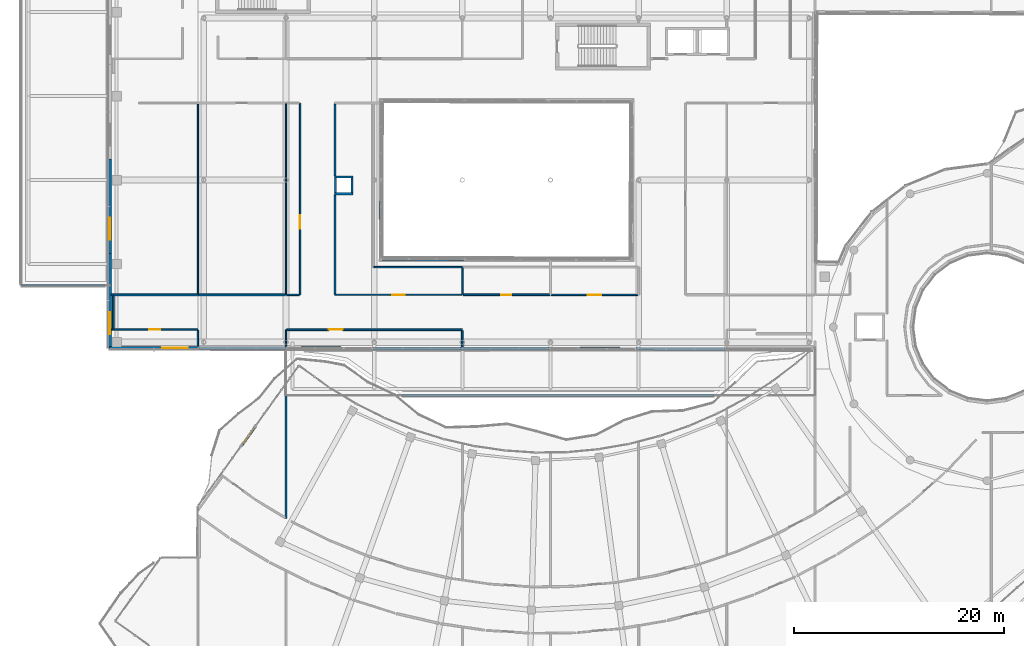
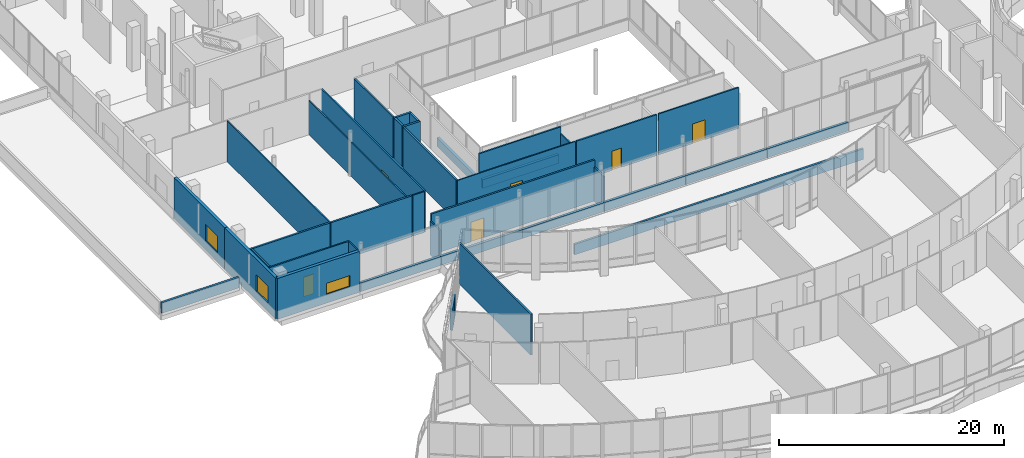
# One storey, part 139 of 168: 38 walls, 7 doors, 3 windows, 10 openings.
"""IFC4 building model written with IfcOpenShell, lengths in metres."""

from ifc_helpers import new_model, si_unit, direction, frame, frame_2d, origin, place, context, subcontext, project, spatial, rectangle, extrude, material, layer, layer_set, type_object, element, fill, save


model = new_model("IFC4")

# Units and contexts
model_context = context("Model", 3, precision=1e-05, world=origin(), true_north=direction((0.0, 1.0)))
body_context = subcontext(model_context, "Body", "Model", "MODEL_VIEW")
ifc_project = project(units=[si_unit("LENGTHUNIT", "METRE"), si_unit("AREAUNIT", "SQUARE_METRE"), si_unit("VOLUMEUNIT", "CUBIC_METRE"), si_unit("PLANEANGLEUNIT", "RADIAN"), si_unit("MASSUNIT", "GRAM", prefix="KILO")], contexts=[model_context])

# Site, building, storey
site_placement = place(None, origin())
site = spatial("IfcSite", under=ifc_project, at=site_placement, CompositionType="ELEMENT")
building_placement = place(site_placement, origin())
building = spatial("IfcBuilding", under=site, at=building_placement, Name="Selatvlak General Hospital", CompositionType="ELEMENT")
storey_placement = place(building_placement, frame((0.0, 0.0, 5.39990234375)))
storey = spatial("IfcBuildingStorey", under=building, at=storey_placement, Name="L01", CompositionType="ELEMENT", Elevation=5.39990234375)

# Wall, opening, window
ifc_material_1 = material(Name="Precast concrete C40/50 - white fair-faced", Category="concrete")
ifc_layer_1 = layer(ifc_material_1, 0.300048828125, Name="Precast concrete C40/50 - white fair-faced", Category="concrete")
ifc_layer_set_1 = layer_set([ifc_layer_1], Name="Precast concrete C40/50 - white fair-faced")
wall_type_1 = type_object("IfcWallType", Name="WALL-EW-01", PredefinedType="SOLIDWALL", material=ifc_layer_set_1)
wall_1_placement = place(storey_placement, frame((14.39990234375, 52.0, 0.0), z_axis=(0.0, 0.0, 1.0), x_axis=(0.0, 1.0, 0.0)))
wall_1 = element("IfcWall", 1, at=wall_1_placement, inside=storey, type_object=wall_type_1, Name="L01 exterior wall 0198", PredefinedType="SOLIDWALL", context=body_context, shape_type="SweptSolid", body=[
    extrude(rectangle(XDim=9.0, YDim=0.300048828125, at=frame_2d((4.5, 0.0))), origin(), (0.0, 0.0, 1.0), 4.445068359375),
])
opening_1_placement = place(wall_1_placement, frame((1.2900390625, 0.0, 0.9599609375)))
opening_1 = element("IfcOpeningElement", 2, at=opening_1_placement, cuts=wall_1, Name="Opening WN-21", PredefinedType="OPENING", context=body_context, shape_type="SweptSolid", body=[
    extrude(rectangle(XDim=2.10009765625, YDim=1.800048828125, at=frame_2d((1.050048828125, 0.89990234375))), frame((0.0, 0.159912109375, 0.0), z_axis=(0.0, -1.0, 0.0), x_axis=(1.0, 0.0, 0.0)), (0.0, 0.0, 1.0), 0.320068359375),
])
ifc_material_2 = material(Name="Thermally broken aluminium Low-E window", Category="aluminium")
window_type_1 = type_object("IfcWindowType", Name="WIN-WN-21", PartitioningType="SINGLE_PANEL", PredefinedType="WINDOW", material=ifc_material_2)
window_1_placement = place(opening_1_placement, origin())
window_1 = element("IfcWindow", 3, at=window_1_placement, inside=storey, type_object=window_type_1, Name="L01 Bauhaus ribbon window 0016", OverallHeight=1.800048828125, OverallWidth=2.10009765625, PartitioningType="SINGLE_PANEL", PredefinedType="WINDOW", context=body_context, shape_type="SweptSolid", body=[
    extrude(rectangle(XDim=2.10009765625, YDim=1.800048828125, at=frame_2d((1.050048828125, 0.89990234375))), frame((0.0, 0.030029296875, 0.0), z_axis=(0.0, -1.0, 0.0), x_axis=(1.0, 0.0, 0.0)), (0.0, 0.0, 1.0), 0.06005859375),
])
fill(opening_1, window_1)

wall_2_placement = place(storey_placement, frame((14.39990234375, 61.0, 0.0), z_axis=(0.0, 0.0, 1.0), x_axis=(0.0, 1.0, 0.0)))
wall_2 = element("IfcWall", 4, at=wall_2_placement, inside=storey, type_object=wall_type_1, Name="L01 exterior wall 0199", PredefinedType="SOLIDWALL", context=body_context, shape_type="SweptSolid", body=[
    extrude(rectangle(XDim=8.9990234375, YDim=0.300048828125, at=frame_2d((4.49951171875, 0.0))), origin(), (0.0, 0.0, 1.0), 4.445068359375),
])
opening_2_placement = place(wall_2_placement, frame((1.2900390625, 0.0, 0.9599609375)))
opening_2 = element("IfcOpeningElement", 5, at=opening_2_placement, cuts=wall_2, Name="Opening WN-21", PredefinedType="OPENING", context=body_context, shape_type="SweptSolid", body=[
    extrude(rectangle(XDim=2.10009765625, YDim=1.800048828125, at=frame_2d((1.050048828125, 0.89990234375))), frame((0.0, 0.159912109375, 0.0), z_axis=(0.0, -1.0, 0.0), x_axis=(1.0, 0.0, 0.0)), (0.0, 0.0, 1.0), 0.320068359375),
])
window_2_placement = place(opening_2_placement, origin())
window_2 = element("IfcWindow", 6, at=window_2_placement, inside=storey, type_object=window_type_1, Name="L01 Bauhaus ribbon window 0018", OverallHeight=1.800048828125, OverallWidth=2.10009765625, PartitioningType="SINGLE_PANEL", PredefinedType="WINDOW", context=body_context, shape_type="SweptSolid", body=[
    extrude(rectangle(XDim=2.10009765625, YDim=1.800048828125, at=frame_2d((1.050048828125, 0.89990234375))), frame((0.0, 0.030029296875, 0.0), z_axis=(0.0, -1.0, 0.0), x_axis=(1.0, 0.0, 0.0)), (0.0, 0.0, 1.0), 0.06005859375),
])
fill(opening_2, window_2)

wall_3_placement = place(storey_placement, frame((22.80908203125, 52.0, 0.0), z_axis=(0.0, 0.0, 1.0), x_axis=(-1.0, 0.0, 0.0)))
wall_3 = element("IfcWall", 7, at=wall_3_placement, inside=storey, type_object=wall_type_1, Name="L01 exterior wall 0238", PredefinedType="SOLIDWALL", context=body_context, shape_type="SweptSolid", body=[
    extrude(rectangle(XDim=8.4091796875, YDim=0.300048828125, at=frame_2d((4.20458984375, 0.0))), origin(), (0.0, 0.0, 1.0), 4.445068359375),
])
opening_3_placement = place(wall_3_placement, frame((0.986083984375, 0.0, 0.9599609375)))
opening_3 = element("IfcOpeningElement", 8, at=opening_3_placement, cuts=wall_3, Name="Opening WN-29", PredefinedType="OPENING", context=body_context, shape_type="SweptSolid", body=[
    extrude(rectangle(XDim=2.39990234375, YDim=1.199951171875, at=frame_2d((1.199951171875, 0.60009765625))), frame((0.0, 0.159912109375, 0.0), z_axis=(0.0, -1.0, 0.0), x_axis=(1.0, 0.0, 0.0)), (0.0, 0.0, 1.0), 0.320068359375),
])
window_type_2 = type_object("IfcWindowType", Name="WIN-WN-29", PartitioningType="SINGLE_PANEL", PredefinedType="WINDOW", material=ifc_material_2)
window_3_placement = place(opening_3_placement, origin())
window_3 = element("IfcWindow", 9, at=window_3_placement, inside=storey, type_object=window_type_2, Name="L01 Bauhaus ribbon window 0024", OverallHeight=1.199951171875, OverallWidth=2.39990234375, PartitioningType="SINGLE_PANEL", PredefinedType="WINDOW", context=body_context, shape_type="SweptSolid", body=[
    extrude(rectangle(XDim=2.39990234375, YDim=1.199951171875, at=frame_2d((1.199951171875, 0.60009765625))), frame((0.0, 0.030029296875, 0.0), z_axis=(0.0, -1.0, 0.0), x_axis=(1.0, 0.0, 0.0)), (0.0, 0.0, 1.0), 0.06005859375),
])
fill(opening_3, window_3)

# Walls
ifc_material_3 = material(Name="Precast concrete C40/50 - white Bauhaus spandrel", Category="concrete")
ifc_layer_2 = layer(ifc_material_3, 0.280029296875, Name="Precast concrete C40/50 - white Bauhaus spandrel", Category="concrete")
ifc_layer_set_2 = layer_set([ifc_layer_2], Name="Precast concrete C40/50 - white Bauhaus spandrel")
wall_type_2 = type_object("IfcWallType", Name="WALL-EW-02", PredefinedType="SOLIDWALL", material=ifc_layer_set_2)
for number, where, z_axis, x_axis, name in (
    (10, (72.97802734375, 51.909912109375, 0.0), (0.0, 0.0, 1.0), (-0.999998360026, 0.001811062053, 0.0), "L01 Bauhaus spandrel sill wall 0232"),
    (11, (64.615966796875, 51.925048828125, 0.0), (0.0, 0.0, 1.0), (-0.999998412501, 0.001781851468, 0.0), "L01 Bauhaus spandrel sill wall 0233"),
):
    element("IfcWall", number, at=place(storey_placement, frame(where, z_axis=z_axis, x_axis=x_axis)), inside=storey, type_object=wall_type_2, Name=name, PredefinedType="SOLIDWALL", context=body_context, shape_type="SweptSolid", body=[
        extrude(rectangle(XDim=8.35791015625, YDim=0.280029296875, at=frame_2d((4.178955078125, 0.0))), origin(), (0.0, 0.0, 1.0), 0.940185546875),
    ])
wall_4_placement = place(storey_placement, frame((56.25390625, 51.93994140625, 0.0), z_axis=(0.0, 0.0, 1.0), x_axis=(-0.999998359642, 0.001811273687, 0.0)))
element("IfcWall", 12, at=wall_4_placement, inside=storey, type_object=wall_type_2, Name="L01 Bauhaus spandrel sill wall 0234", PredefinedType="SOLIDWALL", context=body_context, shape_type="SweptSolid", body=[
    extrude(rectangle(XDim=8.35693359375, YDim=0.280029296875, at=frame_2d((4.178466796875, 0.0))), origin(), (0.0, 0.0, 1.0), 0.940185546875),
])
wall_5_placement = place(storey_placement, frame((47.89306640625, 51.955078125, 0.0), z_axis=(0.0, 0.0, 1.0), x_axis=(-0.999998412594, 0.001781799421, 0.0)))
element("IfcWall", 13, at=wall_5_placement, inside=storey, type_object=wall_type_2, Name="L01 Bauhaus spandrel sill wall 0235", PredefinedType="SOLIDWALL", context=body_context, shape_type="SweptSolid", body=[
    extrude(rectangle(XDim=8.358154296875, YDim=0.280029296875, at=frame_2d((4.17919921875, 0.0))), origin(), (0.0, 0.0, 1.0), 0.940185546875),
])
wall_6_placement = place(storey_placement, frame((39.531005859375, 51.969970703125, 0.0), z_axis=(0.0, 0.0, 1.0), x_axis=(-0.999998360026, 0.001811062053, 0.0)))
element("IfcWall", 14, at=wall_6_placement, inside=storey, type_object=wall_type_2, Name="L01 Bauhaus spandrel sill wall 0236", PredefinedType="SOLIDWALL", context=body_context, shape_type="SweptSolid", body=[
    extrude(rectangle(XDim=8.35791015625, YDim=0.280029296875, at=frame_2d((4.178955078125, 0.0))), origin(), (0.0, 0.0, 1.0), 0.940185546875),
])
wall_7_placement = place(storey_placement, frame((31.1689453125, 51.985107421875, 0.0), z_axis=(0.0, 0.0, 1.0), x_axis=(-0.999998358775, 0.001811752647, 0.0)))
element("IfcWall", 15, at=wall_7_placement, inside=storey, type_object=wall_type_2, Name="L01 Bauhaus spandrel sill wall 0237", PredefinedType="SOLIDWALL", context=body_context, shape_type="SweptSolid", body=[
    extrude(rectangle(XDim=8.219970703125, YDim=0.280029296875, at=frame_2d((4.10986328125, 0.0))), origin(), (0.0, 0.0, 1.0), 0.940185546875),
])
wall_8_placement = place(storey_placement, frame((40.22998046875, 68.028076171875, 0.0), z_axis=(0.0, 0.0, 1.0), x_axis=(-0.003911227273, -0.999992351121, 0.0)))
element("IfcWall", 16, at=wall_8_placement, inside=storey, type_object=wall_type_2, Name="L01 Bauhaus spandrel sill wall 0274", PredefinedType="SOLIDWALL", context=body_context, shape_type="SweptSolid", body=[
    extrude(rectangle(XDim=7.427978515625, YDim=0.280029296875, at=frame_2d((3.7138671875, 0.0))), origin(), (0.0, 0.0, 1.0), 0.940185546875),
])
wall_9_placement = place(storey_placement, frame((40.340087890625, 60.4599609375, 0.0), z_axis=(0.0, 0.0, 1.0), x_axis=(0.99999673805, -0.002554190522, 0.0)))
element("IfcWall", 17, at=wall_9_placement, inside=storey, type_object=wall_type_2, Name="L01 Bauhaus spandrel sill wall 0275", PredefinedType="SOLIDWALL", context=body_context, shape_type="SweptSolid", body=[
    extrude(rectangle(XDim=7.837890625, YDim=0.280029296875, at=frame_2d((3.9189453125, 0.0))), origin(), (0.0, 0.0, 1.0), 0.940185546875),
])

# Wall, opening, door
ifc_layer_3 = layer(ifc_material_1, 0.239990234375, Name="Precast concrete C40/50 - white fair-faced", Category="concrete")
ifc_layer_set_3 = layer_set([ifc_layer_3], Name="Precast concrete C40/50 - white fair-faced")
wall_type_3 = type_object("IfcWallType", Name="WALL-EW-04", PredefinedType="SOLIDWALL", material=ifc_layer_set_3)
wall_10_placement = place(storey_placement, frame((26.947021484375, 42.672119140625, 0.0), z_axis=(0.0, 0.0, 1.0), x_axis=(0.583485123331, 0.812123827289, 0.0)))
wall_10 = element("IfcWall", 18, at=wall_10_placement, inside=storey, type_object=wall_type_3, Name="L01 S-curve glazed balcony door frame 0230", PredefinedType="SOLIDWALL", context=body_context, shape_type="SweptSolid", body=[
    extrude(rectangle(XDim=2.300048828125, YDim=0.239990234375, at=frame_2d((1.14990234375, 0.0))), origin(), (0.0, 0.0, 1.0), 2.320068359375),
])
opening_4_placement = place(wall_10_placement, frame((0.35009765625, 0.0, 0.0)))
opening_4 = element("IfcOpeningElement", 19, at=opening_4_placement, cuts=wall_10, Name="Opening DE-05", PredefinedType="OPENING", context=body_context, shape_type="SweptSolid", body=[
    extrude(rectangle(XDim=1.60009765625, YDim=2.199951171875, at=frame_2d((0.800048828125, 1.10009765625))), frame((0.0, 0.1298828125, 0.0), z_axis=(0.0, -1.0, 0.0), x_axis=(1.0, 0.0, 0.0)), (0.0, 0.0, 1.0), 0.260009765625),
])
ifc_material_4 = material(Name="Anodised aluminium balcony double door", Category="aluminium")
door_type_1 = type_object("IfcDoorType", Name="DOOR-DE-05", OperationType="DOUBLE_DOOR_SINGLE_SWING", PredefinedType="DOOR", material=ifc_material_4)
door_1_placement = place(opening_4_placement, origin())
door_1 = element("IfcDoor", 20, at=door_1_placement, inside=storey, type_object=door_type_1, Name="L01 clinic balcony double door 22", OperationType="DOUBLE_DOOR_SINGLE_SWING", OverallHeight=2.199951171875, OverallWidth=1.60009765625, PredefinedType="DOOR", context=body_context, shape_type="SweptSolid", body=[
    extrude(rectangle(XDim=1.60009765625, YDim=2.199951171875, at=frame_2d((0.800048828125, 1.10009765625))), frame((0.0, 0.02490234375, 0.0), z_axis=(0.0, -1.0, 0.0), x_axis=(1.0, 0.0, 0.0)), (0.0, 0.0, 1.0), 0.050048828125),
])
fill(opening_4, door_1)

# Walls
ifc_material_5 = material(Name="Concrete C40/50", Category="concrete")
ifc_layer_4 = layer(ifc_material_5, 0.199951171875, Name="Concrete C40/50", Category="concrete")
ifc_layer_set_4 = layer_set([ifc_layer_4], Name="Concrete C40/50")
wall_type_4 = type_object("IfcWallType", Name="WALL-IW-02", PredefinedType="SOLIDWALL", material=ifc_layer_set_4)
wall_11_placement = place(storey_placement, frame((35.800048828125, 66.699951171875, 0.0), z_axis=(0.0, 0.0, 1.0), x_axis=(1.0, 0.0, 0.0)))
element("IfcWall", 21, at=wall_11_placement, inside=storey, type_object=wall_type_4, Name="Service riser 5 shaft wall L01 S", PredefinedType="SOLIDWALL", context=body_context, shape_type="SweptSolid", body=[
    extrude(rectangle(XDim=1.800048828125, YDim=0.199951171875, at=frame_2d((0.89990234375, 0.0))), origin(), (0.0, 0.0, 1.0), 4.445068359375),
])
wall_12_placement = place(storey_placement, frame((37.5, 66.800048828125, 0.0), z_axis=(0.0, 0.0, 1.0), x_axis=(0.0, 1.0, 0.0)))
element("IfcWall", 22, at=wall_12_placement, inside=storey, type_object=wall_type_4, Name="Service riser 5 shaft wall L01 E", PredefinedType="SOLIDWALL", context=body_context, shape_type="SweptSolid", body=[
    extrude(rectangle(XDim=1.39990234375, YDim=0.199951171875, at=frame_2d((0.699951171875, 0.0))), origin(), (0.0, 0.0, 1.0), 4.445068359375),
])
wall_13_placement = place(storey_placement, frame((37.60009765625, 68.300048828125, 0.0), z_axis=(0.0, 0.0, 1.0), x_axis=(-1.0, 0.0, 0.0)))
element("IfcWall", 23, at=wall_13_placement, inside=storey, type_object=wall_type_4, Name="Service riser 5 shaft wall L01 N", PredefinedType="SOLIDWALL", context=body_context, shape_type="SweptSolid", body=[
    extrude(rectangle(XDim=1.800048828125, YDim=0.199951171875, at=frame_2d((0.89990234375, 0.0))), origin(), (0.0, 0.0, 1.0), 4.445068359375),
])
wall_14_placement = place(storey_placement, frame((35.89990234375, 68.199951171875, 0.0), z_axis=(0.0, 0.0, 1.0), x_axis=(0.0, -1.0, 0.0)))
element("IfcWall", 24, at=wall_14_placement, inside=storey, type_object=wall_type_4, Name="Service riser 5 shaft wall L01 W", PredefinedType="SOLIDWALL", context=body_context, shape_type="SweptSolid", body=[
    extrude(rectangle(XDim=1.39990234375, YDim=0.199951171875, at=frame_2d((0.699951171875, 0.0))), origin(), (0.0, 0.0, 1.0), 4.445068359375),
])
ifc_layer_5 = layer(ifc_material_1, 0.219970703125, Name="Precast concrete C40/50 - white fair-faced", Category="concrete")
ifc_layer_set_5 = layer_set([ifc_layer_5], Name="Precast concrete C40/50 - white fair-faced")
wall_type_5 = type_object("IfcWallType", Name="WALL-PR-02", PredefinedType="PARAPET", material=ifc_layer_set_5)
wall_15_placement = place(storey_placement, frame((13.919921875, 58.0, -0.079833984375), z_axis=(0.0, 0.0, 1.0), x_axis=(-1.0, 0.0, 0.0)))
element("IfcWall", 25, at=wall_15_placement, inside=storey, type_object=wall_type_5, Name="L01 roof parapet upstand PAR-L01-002", PredefinedType="PARAPET", context=body_context, shape_type="SweptSolid", body=[
    extrude(rectangle(XDim=7.919921875, YDim=0.219970703125, at=frame_2d((3.9599609375, 0.0))), origin(), (0.0, 0.0, 1.0), 1.14990234375),
])
wall_16_placement = place(storey_placement, frame((71.965087890625, 47.5, -0.079833984375), z_axis=(0.0, 0.0, 1.0), x_axis=(-1.0, 0.0, 0.0)))
element("IfcWall", 26, at=wall_16_placement, inside=storey, type_object=wall_type_5, Name="L01 roof parapet upstand PAR-L01-004", PredefinedType="PARAPET", context=body_context, shape_type="SweptSolid", body=[
    extrude(rectangle(XDim=29.64599609375, YDim=0.219970703125, at=frame_2d((14.822998046875, 0.0))), origin(), (0.0, 0.0, 1.0), 1.14990234375),
])
ifc_material_6 = material(Name="Acoustic gypsum stud partition")
ifc_layer_6 = layer(ifc_material_6, 0.179931640625, Name="Acoustic gypsum stud partition")
ifc_layer_set_6 = layer_set([ifc_layer_6], Name="Acoustic gypsum stud partition")
wall_type_6 = type_object("IfcWallType", Name="WALL-PT-01", PredefinedType="PARTITIONING", material=ifc_layer_set_6)
wall_17_placement = place(storey_placement, frame((22.743896484375, 57.06005859375, 0.0), z_axis=(0.0, 0.0, 1.0), x_axis=(-1.0, 0.0, 0.0)))
element("IfcWall", 27, at=wall_17_placement, inside=storey, type_object=wall_type_6, Name="L01 clinical partition PT-L01-0710", PredefinedType="PARTITIONING", context=body_context, shape_type="SweptSolid", body=[
    extrude(rectangle(XDim=8.19677734375, YDim=0.179931640625, at=frame_2d((4.098388671875, 0.0))), origin(), (0.0, 0.0, 1.0), 4.445068359375),
])
wall_18_placement = place(storey_placement, frame((31.14404296875, 57.06005859375, 0.0), z_axis=(0.0, 0.0, 1.0), x_axis=(-1.0, 0.0, 0.0)))
element("IfcWall", 28, at=wall_18_placement, inside=storey, type_object=wall_type_6, Name="L01 clinical partition PT-L01-0725", PredefinedType="PARTITIONING", context=body_context, shape_type="SweptSolid", body=[
    extrude(rectangle(XDim=8.2880859375, YDim=0.179931640625, at=frame_2d((4.14404296875, 0.0))), origin(), (0.0, 0.0, 1.0), 4.445068359375),
])

# Wall, opening, door
wall_19_placement = place(storey_placement, frame((31.256103515625, 53.739990234375, 0.0), z_axis=(0.0, 0.0, 1.0), x_axis=(1.0, 0.0, 0.0)))
wall_19 = element("IfcWall", 29, at=wall_19_placement, inside=storey, type_object=wall_type_6, Name="L01 clinical partition PT-L01-0740", PredefinedType="PARTITIONING", context=body_context, shape_type="SweptSolid", body=[
    extrude(rectangle(XDim=16.743896484375, YDim=0.179931640625, at=frame_2d((8.3720703125, 0.0))), origin(), (0.0, 0.0, 1.0), 4.445068359375),
])
opening_5_placement = place(wall_19_placement, frame((4.012939453125, 0.0, 0.0)))
opening_5 = element("IfcOpeningElement", 30, at=opening_5_placement, cuts=wall_19, Name="Opening D-10", PredefinedType="OPENING", context=body_context, shape_type="SweptSolid", body=[
    extrude(rectangle(XDim=1.35009765625, YDim=2.14990234375, at=frame_2d((0.675048828125, 1.074951171875))), frame((0.0, 0.099853515625, 0.0), z_axis=(0.0, -1.0, 0.0), x_axis=(1.0, 0.0, 0.0)), (0.0, 0.0, 1.0), 0.199951171875),
])
ifc_material_7 = material(Name="Single patient bed door")
door_type_2 = type_object("IfcDoorType", Name="DOOR-D-10", OperationType="NOTDEFINED", PredefinedType="DOOR", material=ifc_material_7)
door_2_placement = place(opening_5_placement, origin())
door_2 = element("IfcDoor", 31, at=door_2_placement, inside=storey, type_object=door_type_2, Name="L01 Pre-Operative Day Surgery Ward 06 door", OperationType="SINGLE_SWING_LEFT", OverallHeight=2.14990234375, OverallWidth=1.35009765625, PredefinedType="DOOR", context=body_context, shape_type="SweptSolid", body=[
    extrude(rectangle(XDim=1.35009765625, YDim=2.14990234375, at=frame_2d((0.675048828125, 1.074951171875))), frame((0.0, 0.02490234375, 0.0), z_axis=(0.0, -1.0, 0.0), x_axis=(1.0, 0.0, 0.0)), (0.0, 0.0, 1.0), 0.050048828125),
])
fill(opening_5, door_2)

# Walls
wall_20_placement = place(storey_placement, frame((35.860107421875, 57.115966796875, 0.0), z_axis=(0.0, 0.0, 1.0), x_axis=(0.0, 1.0, 0.0)))
element("IfcWall", 32, at=wall_20_placement, inside=storey, type_object=wall_type_6, Name="L01 clinical partition PT-L01-0750", PredefinedType="PARTITIONING", context=body_context, shape_type="SweptSolid", body=[
    extrude(rectangle(XDim=9.487060546875, YDim=0.179931640625, at=frame_2d((4.74365234375, 0.0))), origin(), (0.0, 0.0, 1.0), 4.445068359375),
])
ifc_layer_7 = layer(ifc_material_6, 0.1650390625, Name="Acoustic gypsum stud partition")
ifc_layer_set_7 = layer_set([ifc_layer_7], Name="Acoustic gypsum stud partition")
wall_type_7 = type_object("IfcWallType", Name="WALL-PT-02", PredefinedType="PARTITIONING", material=ifc_layer_set_7)
wall_21_placement = place(storey_placement, frame((14.739990234375, 56.97412109375, 0.0), z_axis=(0.0, 0.0, 1.0), x_axis=(0.0, -1.0, 0.0)))
element("IfcWall", 33, at=wall_21_placement, inside=storey, type_object=wall_type_7, Name="L01 clinical partition PT-L01-0711", PredefinedType="PARTITIONING", context=body_context, shape_type="SweptSolid", body=[
    extrude(rectangle(XDim=3.174072265625, YDim=0.1650390625, at=frame_2d((1.5869140625, 0.0))), origin(), (0.0, 0.0, 1.0), 4.445068359375),
])
wall_22_placement = place(storey_placement, frame((31.199951171875, 48.56591796875, 0.0), z_axis=(0.0, 0.0, 1.0), x_axis=(0.0, -1.0, 0.0)))
element("IfcWall", 34, at=wall_22_placement, inside=storey, type_object=wall_type_7, Name="L01 clinical partition PT-L01-0716", PredefinedType="PARTITIONING", context=body_context, shape_type="SweptSolid", body=[
    extrude(rectangle(XDim=12.791015625, YDim=0.1650390625, at=frame_2d((6.3955078125, 0.0))), origin(), (0.0, 0.0, 1.0), 4.445068359375),
])
wall_23_placement = place(storey_placement, frame((48.0, 53.654052734375, 0.0), z_axis=(0.0, 0.0, 1.0), x_axis=(0.0, -1.0, 0.0)))
element("IfcWall", 35, at=wall_23_placement, inside=storey, type_object=wall_type_7, Name="L01 clinical partition PT-L01-0741", PredefinedType="PARTITIONING", context=body_context, shape_type="SweptSolid", body=[
    extrude(rectangle(XDim=1.64404296875, YDim=0.1650390625, at=frame_2d((0.822021484375, 0.0))), origin(), (0.0, 0.0, 1.0), 3.695068359375),
])
wall_24_placement = place(storey_placement, frame((35.860107421875, 68.39697265625, 0.0), z_axis=(0.0, 0.0, 1.0), x_axis=(0.0, 1.0, 0.0)))
element("IfcWall", 36, at=wall_24_placement, inside=storey, type_object=wall_type_7, Name="L01 clinical partition PT-L01-0751", PredefinedType="PARTITIONING", context=body_context, shape_type="SweptSolid", body=[
    extrude(rectangle(XDim=6.85693359375, YDim=0.1650390625, at=frame_2d((3.428466796875, 0.0))), origin(), (0.0, 0.0, 1.0), 4.445068359375),
])

# Wall, opening, door
wall_25_placement = place(storey_placement, frame((56.31396484375, 57.06005859375, 0.0), z_axis=(0.0, 0.0, 1.0), x_axis=(-1.0, 0.0, 0.0)))
wall_25 = element("IfcWall", 37, at=wall_25_placement, inside=storey, type_object=wall_type_7, Name="L01 clinical partition PT-L01-0761", PredefinedType="PARTITIONING", context=body_context, shape_type="SweptSolid", body=[
    extrude(rectangle(XDim=8.2509765625, YDim=0.1650390625, at=frame_2d((4.12548828125, 0.0))), origin(), (0.0, 0.0, 1.0), 4.445068359375),
])
opening_6_placement = place(wall_25_placement, frame((3.64990234375, 0.0, 0.0)))
opening_6 = element("IfcOpeningElement", 38, at=opening_6_placement, cuts=wall_25, Name="Opening D-02", PredefinedType="OPENING", context=body_context, shape_type="SweptSolid", body=[
    extrude(rectangle(XDim=0.949951171875, YDim=2.10009765625, at=frame_2d((0.47509765625, 1.050048828125))), frame((0.0, 0.092529296875, 0.0), z_axis=(0.0, -1.0, 0.0), x_axis=(1.0, 0.0, 0.0)), (0.0, 0.0, 1.0), 0.18505859375),
])
ifc_material_8 = material(Name="Moisture-resistant en-suite door")
door_type_3 = type_object("IfcDoorType", Name="DOOR-D-02", OperationType="NOTDEFINED", PredefinedType="DOOR", material=ifc_material_8)
door_3_placement = place(opening_6_placement, origin())
door_3 = element("IfcDoor", 39, at=door_3_placement, inside=storey, type_object=door_type_3, Name="L01 Pre-Operative Day Surgery Ward 11 door", OperationType="SINGLE_SWING_RIGHT", OverallHeight=2.10009765625, OverallWidth=0.949951171875, PredefinedType="DOOR", context=body_context, shape_type="SweptSolid", body=[
    extrude(rectangle(XDim=0.949951171875, YDim=2.10009765625, at=frame_2d((0.47509765625, 1.050048828125))), frame((0.0, 0.02490234375, 0.0), z_axis=(0.0, -1.0, 0.0), x_axis=(1.0, 0.0, 0.0)), (0.0, 0.0, 1.0), 0.050048828125),
])
fill(opening_6, door_3)

ifc_layer_8 = layer(ifc_material_6, 0.14990234375, Name="Acoustic gypsum stud partition")
ifc_layer_set_8 = layer_set([ifc_layer_8], Name="Acoustic gypsum stud partition")
wall_type_8 = type_object("IfcWallType", Name="WALL-PT-03", PredefinedType="PARTITIONING", material=ifc_layer_set_8)
wall_26_placement = place(storey_placement, frame((14.547119140625, 53.739990234375, 0.0), z_axis=(0.0, 0.0, 1.0), x_axis=(1.0, 0.0, 0.0)))
wall_26 = element("IfcWall", 40, at=wall_26_placement, inside=storey, type_object=wall_type_8, Name="L01 clinical partition PT-L01-0712", PredefinedType="PARTITIONING", context=body_context, shape_type="SweptSolid", body=[
    extrude(rectangle(XDim=8.2529296875, YDim=0.14990234375, at=frame_2d((4.12646484375, 0.0))), origin(), (0.0, 0.0, 1.0), 4.445068359375),
])
opening_7_placement = place(wall_26_placement, frame((3.60205078125, 0.0, 0.0)))
opening_7 = element("IfcOpeningElement", 41, at=opening_7_placement, cuts=wall_26, Name="Opening D-04", PredefinedType="OPENING", context=body_context, shape_type="SweptSolid", body=[
    extrude(rectangle(XDim=1.050048828125, YDim=2.14990234375, at=frame_2d((0.52490234375, 1.074951171875))), frame((0.0, 0.0849609375, 0.0), z_axis=(0.0, -1.0, 0.0), x_axis=(1.0, 0.0, 0.0)), (0.0, 0.0, 1.0), 0.169921875),
])
ifc_material_9 = material(Name="Consultation room door")
door_type_4 = type_object("IfcDoorType", Name="DOOR-D-04", OperationType="NOTDEFINED", PredefinedType="DOOR", material=ifc_material_9)
door_4_placement = place(opening_7_placement, origin())
door_4 = element("IfcDoor", 42, at=door_4_placement, inside=storey, type_object=door_type_4, Name="L01 Emergency Observation Inpatient Ward 01 door", OperationType="SINGLE_SWING_RIGHT", OverallHeight=2.14990234375, OverallWidth=1.050048828125, PredefinedType="DOOR", context=body_context, shape_type="SweptSolid", body=[
    extrude(rectangle(XDim=1.050048828125, YDim=2.14990234375, at=frame_2d((0.52490234375, 1.074951171875))), frame((0.0, 0.02490234375, 0.0), z_axis=(0.0, -1.0, 0.0), x_axis=(1.0, 0.0, 0.0)), (0.0, 0.0, 1.0), 0.050048828125),
])
fill(opening_7, door_4)

wall_27_placement = place(storey_placement, frame((32.5400390625, 75.340087890625, 0.0), z_axis=(0.0, 0.0, 1.0), x_axis=(0.0, -1.0, 0.0)))
wall_27 = element("IfcWall", 43, at=wall_27_placement, inside=storey, type_object=wall_type_8, Name="L01 clinical partition PT-L01-0742", PredefinedType="PARTITIONING", context=body_context, shape_type="SweptSolid", body=[
    extrude(rectangle(XDim=18.280029296875, YDim=0.14990234375, at=frame_2d((9.14013671875, 0.0))), origin(), (0.0, 0.0, 1.0), 4.445068359375),
])
opening_8_placement = place(wall_27_placement, frame((10.708984375, 0.0, 0.0)))
opening_8 = element("IfcOpeningElement", 44, at=opening_8_placement, cuts=wall_27, Name="Opening D-08", PredefinedType="OPENING", context=body_context, shape_type="SweptSolid", body=[
    extrude(rectangle(XDim=1.25, YDim=2.14990234375, at=frame_2d((0.625, 1.074951171875))), frame((0.0, 0.0849609375, 0.0), z_axis=(0.0, -1.0, 0.0), x_axis=(1.0, 0.0, 0.0)), (0.0, 0.0, 1.0), 0.169921875),
])
ifc_material_10 = material(Name="Diagnostic treatment door")
door_type_5 = type_object("IfcDoorType", Name="DOOR-D-08", OperationType="NOTDEFINED", PredefinedType="DOOR", material=ifc_material_10)
door_5_placement = place(opening_8_placement, origin())
door_5 = element("IfcDoor", 45, at=door_5_placement, inside=storey, type_object=door_type_5, Name="L01 Emergency Observation Inpatient Ward 07 door", OperationType="SINGLE_SWING_RIGHT", OverallHeight=2.14990234375, OverallWidth=1.25, PredefinedType="DOOR", context=body_context, shape_type="SweptSolid", body=[
    extrude(rectangle(XDim=1.25, YDim=2.14990234375, at=frame_2d((0.625, 1.074951171875))), frame((0.0, 0.02490234375, 0.0), z_axis=(0.0, -1.0, 0.0), x_axis=(1.0, 0.0, 0.0)), (0.0, 0.0, 1.0), 0.050048828125),
])
fill(opening_8, door_5)

# Wall
wall_28_placement = place(storey_placement, frame((39.577880859375, 59.699951171875, 0.0), z_axis=(0.0, 0.0, 1.0), x_axis=(1.0, 0.0, 0.0)))
element("IfcWall", 46, at=wall_28_placement, inside=storey, type_object=wall_type_8, Name="L01 clinical partition PT-L01-0747", PredefinedType="PARTITIONING", context=body_context, shape_type="SweptSolid", body=[
    extrude(rectangle(XDim=8.422119140625, YDim=0.14990234375, at=frame_2d((4.2109375, 0.0))), origin(), (0.0, 0.0, 1.0), 4.445068359375),
])

# Wall, opening, door
wall_29_placement = place(storey_placement, frame((64.720947265625, 57.06005859375, 0.0), z_axis=(0.0, 0.0, 1.0), x_axis=(-1.0, 0.0, 0.0)))
wall_29 = element("IfcWall", 47, at=wall_29_placement, inside=storey, type_object=wall_type_8, Name="L01 clinical partition PT-L01-0772", PredefinedType="PARTITIONING", context=body_context, shape_type="SweptSolid", body=[
    extrude(rectangle(XDim=8.23486328125, YDim=0.14990234375, at=frame_2d((4.117431640625, 0.0))), origin(), (0.0, 0.0, 1.0), 4.445068359375),
])
opening_9_placement = place(wall_29_placement, frame((3.468017578125, 0.0, 0.0)))
opening_9 = element("IfcOpeningElement", 48, at=opening_9_placement, cuts=wall_29, Name="Opening D-24", PredefinedType="OPENING", context=body_context, shape_type="SweptSolid", body=[
    extrude(rectangle(XDim=1.300048828125, YDim=2.14990234375, at=frame_2d((0.64990234375, 1.074951171875))), frame((0.0, 0.0849609375, 0.0), z_axis=(0.0, -1.0, 0.0), x_axis=(1.0, 0.0, 0.0)), (0.0, 0.0, 1.0), 0.169921875),
])
ifc_material_11 = material(Name="Oncology bay door")
door_type_6 = type_object("IfcDoorType", Name="DOOR-D-24", OperationType="NOTDEFINED", PredefinedType="DOOR", material=ifc_material_11)
door_6_placement = place(opening_9_placement, origin())
door_6 = element("IfcDoor", 49, at=door_6_placement, inside=storey, type_object=door_type_6, Name="L01 Pre-Operative Day Surgery Ward 14 door", OperationType="SINGLE_SWING_LEFT", OverallHeight=2.14990234375, OverallWidth=1.300048828125, PredefinedType="DOOR", context=body_context, shape_type="SweptSolid", body=[
    extrude(rectangle(XDim=1.300048828125, YDim=2.14990234375, at=frame_2d((0.64990234375, 1.074951171875))), frame((0.0, 0.02490234375, 0.0), z_axis=(0.0, -1.0, 0.0), x_axis=(1.0, 0.0, 0.0)), (0.0, 0.0, 1.0), 0.050048828125),
])
fill(opening_9, door_6)

# Walls
ifc_material_12 = material(Name="Moisture-resistant clinical partition")
ifc_layer_9 = layer(ifc_material_12, 0.135009765625, Name="Moisture-resistant clinical partition")
ifc_layer_set_9 = layer_set([ifc_layer_9], Name="Moisture-resistant clinical partition")
wall_type_9 = type_object("IfcWallType", Name="WALL-PT-04", PredefinedType="PARTITIONING", material=ifc_layer_set_9)
wall_30_placement = place(storey_placement, frame((22.800048828125, 53.6689453125, 0.0), z_axis=(0.0, 0.0, 1.0), x_axis=(0.0, -1.0, 0.0)))
element("IfcWall", 50, at=wall_30_placement, inside=storey, type_object=wall_type_9, Name="L01 clinical partition PT-L01-0713", PredefinedType="PARTITIONING", context=body_context, shape_type="SweptSolid", body=[
    extrude(rectangle(XDim=1.52197265625, YDim=0.135009765625, at=frame_2d((0.760986328125, 0.0))), origin(), (0.0, 0.0, 1.0), 4.445068359375),
])
wall_31_placement = place(storey_placement, frame((32.468994140625, 57.06005859375, 0.0), z_axis=(0.0, 0.0, 1.0), x_axis=(-1.0, 0.0, 0.0)))
element("IfcWall", 51, at=wall_31_placement, inside=storey, type_object=wall_type_9, Name="L01 clinical partition PT-L01-0743", PredefinedType="PARTITIONING", context=body_context, shape_type="SweptSolid", body=[
    extrude(rectangle(XDim=1.212890625, YDim=0.135009765625, at=frame_2d((0.6064453125, 0.0))), origin(), (0.0, 0.0, 1.0), 4.445068359375),
])
wall_32_placement = place(storey_placement, frame((48.0, 59.62890625, 0.0), z_axis=(0.0, 0.0, 1.0), x_axis=(0.0, -1.0, 0.0)))
element("IfcWall", 52, at=wall_32_placement, inside=storey, type_object=wall_type_9, Name="L01 clinical partition PT-L01-0748", PredefinedType="PARTITIONING", context=body_context, shape_type="SweptSolid", body=[
    extrude(rectangle(XDim=2.56884765625, YDim=0.135009765625, at=frame_2d((1.284423828125, 0.0))), origin(), (0.0, 0.0, 1.0), 3.695068359375),
])
ifc_layer_10 = layer(ifc_material_12, 0.1201171875, Name="Moisture-resistant clinical partition")
ifc_layer_set_10 = layer_set([ifc_layer_10], Name="Moisture-resistant clinical partition")
wall_type_10 = type_object("IfcWallType", Name="WALL-PT-05", PredefinedType="PARTITIONING", material=ifc_layer_set_10)
wall_33_placement = place(storey_placement, frame((22.800048828125, 75.27587890625, 0.0), z_axis=(0.0, 0.0, 1.0), x_axis=(0.0, -1.0, 0.0)))
element("IfcWall", 53, at=wall_33_placement, inside=storey, type_object=wall_type_10, Name="L01 clinical partition PT-L01-0709", PredefinedType="PARTITIONING", context=body_context, shape_type="SweptSolid", body=[
    extrude(rectangle(XDim=18.2158203125, YDim=0.1201171875, at=frame_2d((9.10791015625, 0.0))), origin(), (0.0, 0.0, 1.0), 4.445068359375),
])
wall_34_placement = place(storey_placement, frame((31.199951171875, 75.340087890625, 0.0), z_axis=(0.0, 0.0, 1.0), x_axis=(0.0, -1.0, 0.0)))
element("IfcWall", 54, at=wall_34_placement, inside=storey, type_object=wall_type_10, Name="L01 clinical partition PT-L01-0724", PredefinedType="PARTITIONING", context=body_context, shape_type="SweptSolid", body=[
    extrude(rectangle(XDim=18.280029296875, YDim=0.1201171875, at=frame_2d((9.14013671875, 0.0))), origin(), (0.0, 0.0, 1.0), 3.695068359375),
])
wall_35_placement = place(storey_placement, frame((31.199951171875, 52.027099609375, 0.0), z_axis=(0.0, 0.0, 1.0), x_axis=(0.0, 1.0, 0.0)))
element("IfcWall", 55, at=wall_35_placement, inside=storey, type_object=wall_type_10, Name="L01 clinical partition PT-L01-0739", PredefinedType="PARTITIONING", context=body_context, shape_type="SweptSolid", body=[
    extrude(rectangle(XDim=1.712890625, YDim=0.1201171875, at=frame_2d((0.8564453125, 0.0))), origin(), (0.0, 0.0, 1.0), 3.695068359375),
])

# Wall, opening, door
wall_36_placement = place(storey_placement, frame((47.93701171875, 57.06005859375, 0.0), z_axis=(0.0, 0.0, 1.0), x_axis=(-1.0, 0.0, 0.0)))
wall_36 = element("IfcWall", 56, at=wall_36_placement, inside=storey, type_object=wall_type_10, Name="L01 clinical partition PT-L01-0749", PredefinedType="PARTITIONING", context=body_context, shape_type="SweptSolid", body=[
    extrude(rectangle(XDim=12.076904296875, YDim=0.1201171875, at=frame_2d((6.03857421875, 0.0))), origin(), (0.0, 0.0, 1.0), 4.445068359375),
])
opening_10_placement = place(wall_36_placement, frame((5.43798828125, 0.0, 0.0)))
opening_10 = element("IfcOpeningElement", 57, at=opening_10_placement, cuts=wall_36, Name="Opening D-23", PredefinedType="OPENING", context=body_context, shape_type="SweptSolid", body=[
    extrude(rectangle(XDim=1.199951171875, YDim=2.14990234375, at=frame_2d((0.60009765625, 1.074951171875))), frame((0.0, 0.070068359375, 0.0), z_axis=(0.0, -1.0, 0.0), x_axis=(1.0, 0.0, 0.0)), (0.0, 0.0, 1.0), 0.14013671875),
])
ifc_material_13 = material(Name="Endoscopy clinical door")
door_type_7 = type_object("IfcDoorType", Name="DOOR-D-23", OperationType="NOTDEFINED", PredefinedType="DOOR", material=ifc_material_13)
door_7_placement = place(opening_10_placement, origin())
door_7 = element("IfcDoor", 58, at=door_7_placement, inside=storey, type_object=door_type_7, Name="L01 Pre-Operative Day Surgery Ward 08 door", OperationType="SINGLE_SWING_LEFT", OverallHeight=2.14990234375, OverallWidth=1.199951171875, PredefinedType="DOOR", context=body_context, shape_type="SweptSolid", body=[
    extrude(rectangle(XDim=1.199951171875, YDim=2.14990234375, at=frame_2d((0.60009765625, 1.074951171875))), frame((0.0, 0.02490234375, 0.0), z_axis=(0.0, -1.0, 0.0), x_axis=(1.0, 0.0, 0.0)), (0.0, 0.0, 1.0), 0.050048828125),
])
fill(opening_10, door_7)

save(model, "model.ifc")
